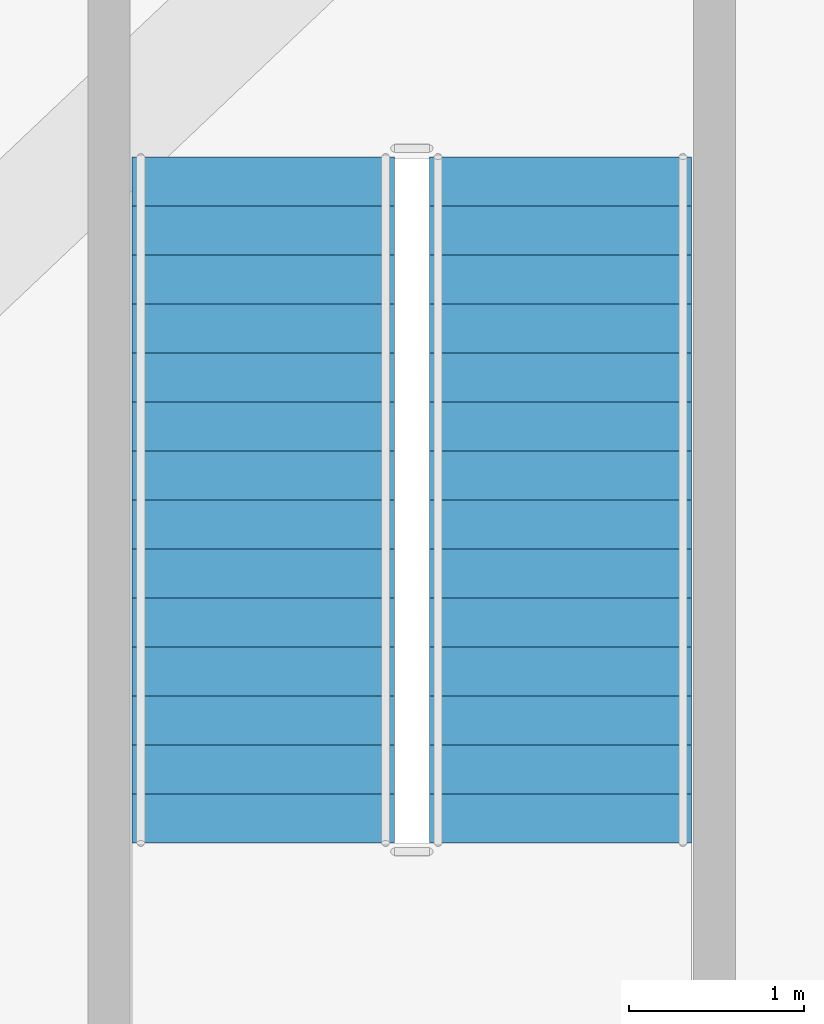
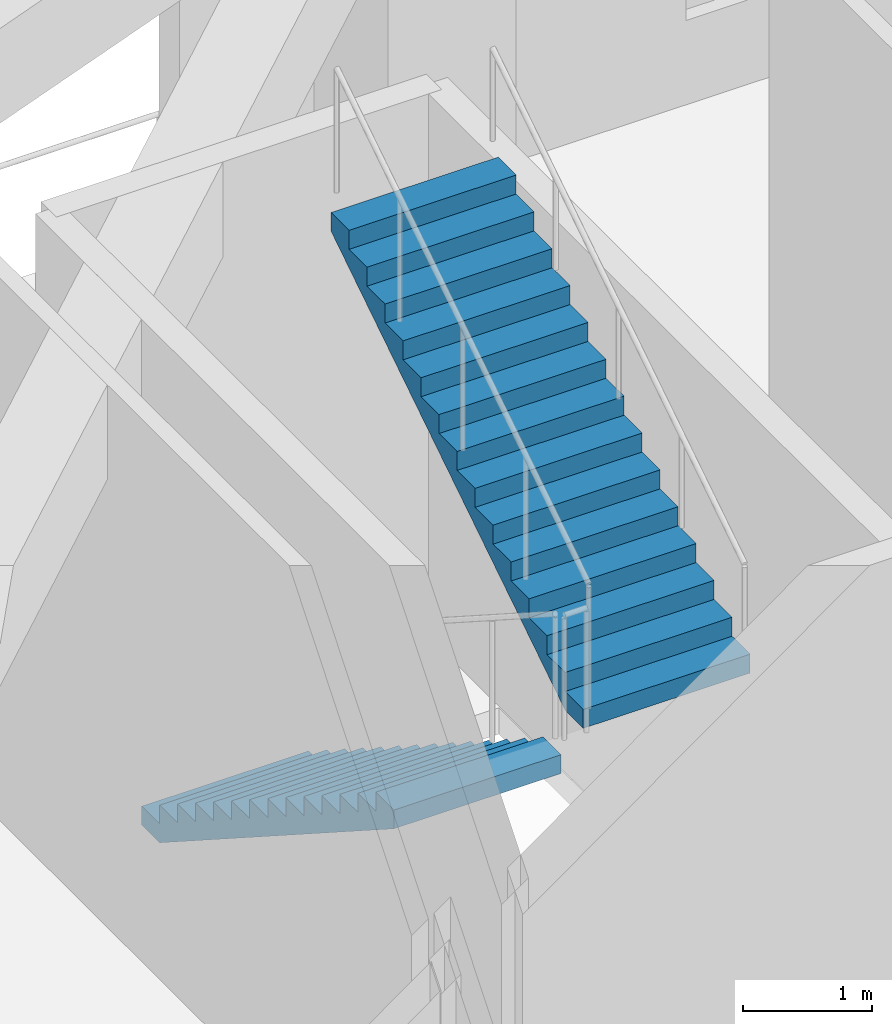
# One storey, part 12 of 18: 2 stair flights, 1 element without a shape of its own.
"""IFC4 building model written with IfcOpenShell, lengths in metres."""

from ifc_helpers import new_model, si_unit, direction, frame, origin, place, context, subcontext, project, spatial, polyline, outline, extrude, material, type_object, element, aggregate, save


model = new_model("IFC4")

# Units and contexts
model_context = context("Model", 3, precision=1e-05, world=origin(), true_north=direction((0.0, 1.0)))
body_context = subcontext(model_context, "Body", "Model", "MODEL_VIEW")
ifc_project = project(units=[si_unit("LENGTHUNIT", "METRE"), si_unit("AREAUNIT", "SQUARE_METRE"), si_unit("VOLUMEUNIT", "CUBIC_METRE"), si_unit("PLANEANGLEUNIT", "RADIAN"), si_unit("MASSUNIT", "GRAM", prefix="KILO")], contexts=[model_context])

# Site, building, storey
site_placement = place(None, origin())
site = spatial("IfcSite", under=ifc_project, at=site_placement, CompositionType="ELEMENT")
building_placement = place(site_placement, origin())
building = spatial("IfcBuilding", under=site, at=building_placement, Name="Gaonmaruhae Medical Tower", CompositionType="ELEMENT")
storey_placement = place(building_placement, frame((0.0, 0.0, 5.39990234375)))
storey = spatial("IfcBuildingStorey", under=building, at=storey_placement, Name="L01", CompositionType="ELEMENT", Elevation=5.39990234375)

# Stair, stair flights
ifc_material = material(Name="Concrete C40/50", Category="concrete")
stair_type = type_object("IfcStairType", Name="ST-T3 Podium Escape Dogleg Stair", PredefinedType="TWO_QUARTER_TURN_STAIR", material=ifc_material)
stair_placement = place(storey_placement, origin())
stair = element("IfcStair", 1, at=stair_placement, inside=storey, type_object=stair_type, Name="L01 Protected Escape Stair ST-05", PredefinedType="TWO_QUARTER_TURN_STAIR")
stair_flight_type = type_object("IfcStairFlightType", Name="SF-T3 Podium Precast Stair Flight", PredefinedType="STRAIGHT", material=ifc_material)
stair_flight_1_placement = place(storey_placement, frame((11.949951171875, 44.300048828125, 0.0), z_axis=(0.0, 0.0, 1.0), x_axis=(0.0, -1.0, 0.0)))
stair_flight_1 = element("IfcStairFlight", 2, at=stair_flight_1_placement, type_object=stair_flight_type, Name="ST-05 flight 1", NumberOfRisers=15, NumberOfTreads=14, PredefinedType="STRAIGHT", RiserHeight=0.18, TreadLength=0.28, context=body_context, shape_type="SweptSolid", body=[
    extrude(outline(polyline([(0.0, 0.0), (0.0, 0.179931640625), (0.280029296875, 0.179931640625), (0.280029296875, 0.360107421875), (0.56005859375, 0.360107421875), (0.56005859375, 0.5400390625), (0.840087890625, 0.5400390625), (0.840087890625, 0.719970703125), (1.1201171875, 0.719970703125), (1.1201171875, 0.89990234375), (1.39990234375, 0.89990234375), (1.39990234375, 1.080078125), (1.679931640625, 1.080078125), (1.679931640625, 1.260009765625), (1.9599609375, 1.260009765625), (1.9599609375, 1.43994140625), (2.239990234375, 1.43994140625), (2.239990234375, 1.6201171875), (2.52001953125, 1.6201171875), (2.52001953125, 1.800048828125), (2.800048828125, 1.800048828125), (2.800048828125, 1.97998046875), (3.080078125, 1.97998046875), (3.080078125, 2.159912109375), (3.360107421875, 2.159912109375), (3.360107421875, 2.340087890625), (3.639892578125, 2.340087890625), (3.639892578125, 2.52001953125), (3.919921875, 2.52001953125), (3.919921875, 2.699951171875), (3.919921875, 2.341796875), (0.277099609375, 0.0), (0.0, 0.0)])), frame((0.0, 0.75, 0.0), z_axis=(0.0, -1.0, 0.0), x_axis=(1.0, 0.0, 0.0)), (0.0, 0.0, 1.0), 1.5),
])
stair_flight_2_placement = place(storey_placement, frame((13.64990234375, 40.3798828125, 2.7001953125), z_axis=(0.0, 0.0, 1.0), x_axis=(0.0, 1.0, 0.0)))
stair_flight_2 = element("IfcStairFlight", 3, at=stair_flight_2_placement, type_object=stair_flight_type, Name="ST-05 flight 2", NumberOfRisers=15, NumberOfTreads=14, PredefinedType="STRAIGHT", RiserHeight=0.18, TreadLength=0.28, context=body_context, shape_type="SweptSolid", body=[
    extrude(outline(polyline([(0.0, 0.0), (0.0, 0.179931640625), (0.280029296875, 0.179931640625), (0.280029296875, 0.360107421875), (0.56005859375, 0.360107421875), (0.56005859375, 0.5400390625), (0.840087890625, 0.5400390625), (0.840087890625, 0.719970703125), (1.1201171875, 0.719970703125), (1.1201171875, 0.89990234375), (1.39990234375, 0.89990234375), (1.39990234375, 1.080078125), (1.679931640625, 1.080078125), (1.679931640625, 1.260009765625), (1.9599609375, 1.260009765625), (1.9599609375, 1.43994140625), (2.239990234375, 1.43994140625), (2.239990234375, 1.6201171875), (2.52001953125, 1.6201171875), (2.52001953125, 1.800048828125), (2.800048828125, 1.800048828125), (2.800048828125, 1.97998046875), (3.080078125, 1.97998046875), (3.080078125, 2.159912109375), (3.360107421875, 2.159912109375), (3.360107421875, 2.340087890625), (3.639892578125, 2.340087890625), (3.639892578125, 2.52001953125), (3.919921875, 2.52001953125), (3.919921875, 2.699951171875), (3.919921875, 2.341796875), (0.277099609375, 0.0), (0.0, 0.0)])), frame((0.0, 0.75, 0.0), z_axis=(0.0, -1.0, 0.0), x_axis=(1.0, 0.0, 0.0)), (0.0, 0.0, 1.0), 1.5),
])
aggregate(stair, [stair_flight_1, stair_flight_2])

save(model, "model.ifc")
